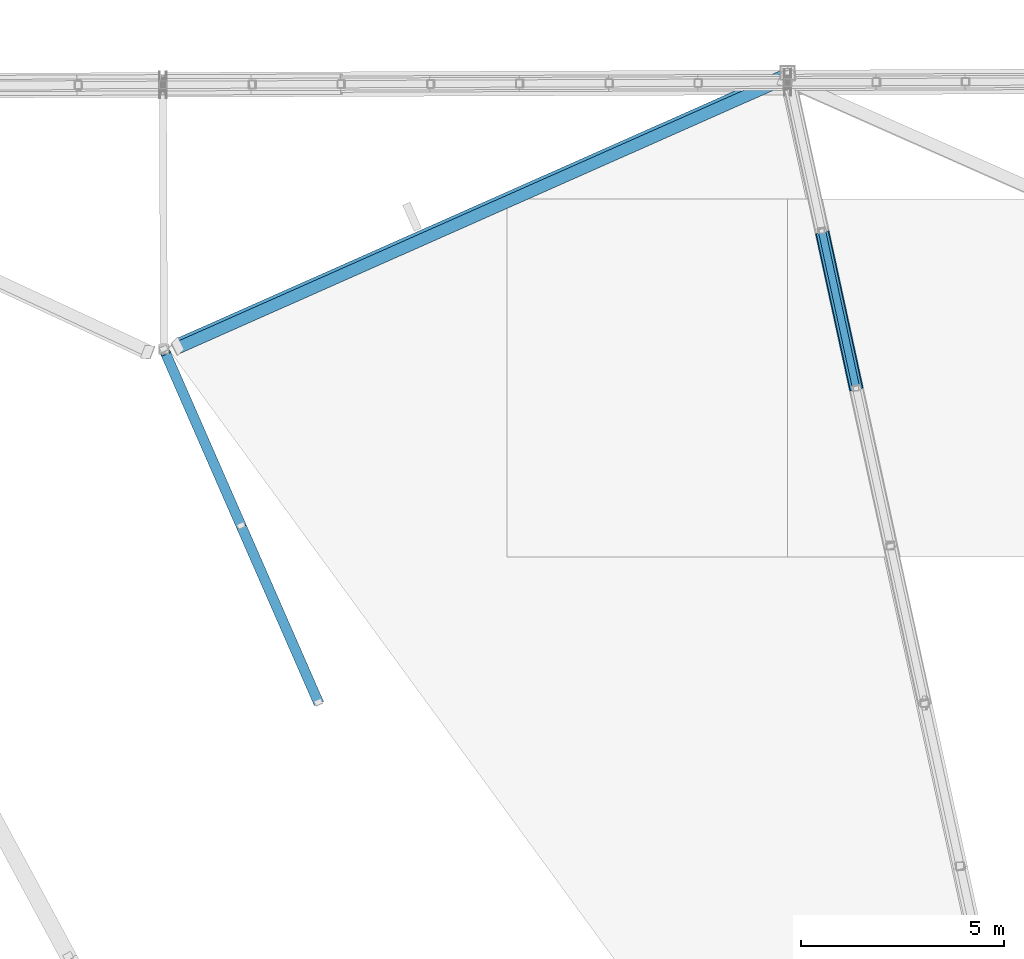
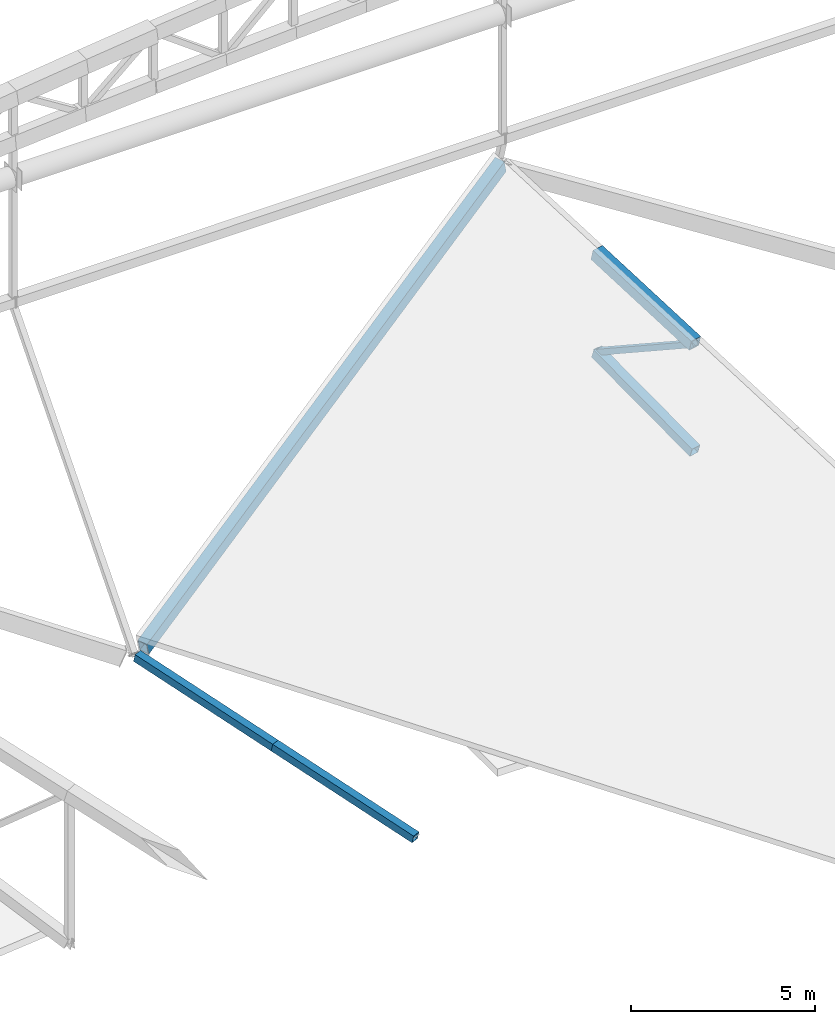
# One storey, part 79 of 188: 5 members, 1 beam.
"""IFC4 building model written with IfcOpenShell, lengths in metres."""

from ifc_helpers import new_model, si_unit, direction, frame, origin, origin_2d, place, context, subcontext, project, spatial, hollow_rectangle, extrude, material, material_profile, profile_set, type_object, element, save


model = new_model("IFC4")

# Units and contexts
model_context = context("Model", 3, precision=1e-05, world=origin(), true_north=direction((0.0, 1.0)))
body_context = subcontext(model_context, "Body", "Model", "MODEL_VIEW")
ifc_project = project(units=[si_unit("LENGTHUNIT", "METRE"), si_unit("AREAUNIT", "SQUARE_METRE"), si_unit("VOLUMEUNIT", "CUBIC_METRE"), si_unit("PLANEANGLEUNIT", "RADIAN"), si_unit("MASSUNIT", "GRAM", prefix="KILO")], contexts=[model_context])

# Site, building, storey
site_placement = place(None, origin())
site = spatial("IfcSite", under=ifc_project, at=site_placement, CompositionType="ELEMENT")
building_placement = place(site_placement, origin())
building = spatial("IfcBuilding", under=site, at=building_placement, Name="Meseta Stadium", CompositionType="ELEMENT")
storey_placement = place(building_placement, frame((0.0, 0.0, 30.0)))
storey = spatial("IfcBuildingStorey", under=building, at=storey_placement, Name="ROOF", CompositionType="ELEMENT", Elevation=30.0)

# Beam
ifc_material_1 = material(Name="Steel S355", Category="steel")
ifc_material_profile_1 = material_profile(ifc_material_1, hollow_rectangle(XDim=0.300048828125, YDim=0.5, WallThickness=0.01611328125, at=origin_2d()), Name="RHS 500x300x16")
ifc_profile_set_1 = profile_set([ifc_material_profile_1], Name="Steel S355")
beam_type = type_object("IfcBeamType", Name="RHS 500x300x16 rim ring beam", PredefinedType="BEAM", material=ifc_profile_set_1)
beam_placement = place(storey_placement, frame((-22.952392578125, 105.348876953125, 10.398193359375), z_axis=(-0.847168236299, -0.375703326713, -0.375703326713), x_axis=(0.452238067139, -0.881046783251, -0.138698580934)))
element("IfcBeam", 1, at=beam_placement, inside=storey, type_object=beam_type, Name="RIM RING BEAM 21", PredefinedType="BEAM", context=body_context, shape_type="SweptSolid", body=[
    extrude(hollow_rectangle(XDim=0.300048828125, YDim=0.5, WallThickness=0.01611328125, at=origin_2d()), origin(), (0.0, 0.0, 1.0), 17.75439453125),
])

# Members
ifc_material_2 = material(Name="Steel S355", Category="steel")
ifc_material_profile_2 = material_profile(ifc_material_2, hollow_rectangle(XDim=0.179931640625, YDim=0.179931640625, WallThickness=0.00634765625, at=origin_2d()), Name="SHS 180x180x6.3")
ifc_profile_set_2 = profile_set([ifc_material_profile_2], Name="Steel S355")
member_type_1 = type_object("IfcMemberType", Name="SHS 180x180x6.3 diagonal", PredefinedType="BRACE", material=ifc_profile_set_2)
member_1_placement = place(storey_placement, frame((-21.313720703125, 97.65185546875, 8.564697265625), z_axis=(-0.183614450308, 0.843542008538, -0.504700518595), x_axis=(-0.977119641805, -0.212690398462, 0.0)))
element("IfcMember", 2, at=member_1_placement, inside=storey, type_object=member_type_1, Name="ROOF TRUSS RT-20 diagonal", PredefinedType="BRACE", context=body_context, shape_type="SweptSolid", body=[
    extrude(hollow_rectangle(XDim=0.179931640625, YDim=0.179931640625, WallThickness=0.00634765625, at=origin_2d()), origin(), (0.0, 0.0, 1.0), 4.592529296875),
])
ifc_material_3 = material(Name="Steel S355", Category="steel")
ifc_material_profile_3 = material_profile(ifc_material_3, hollow_rectangle(XDim=0.25, YDim=0.25, WallThickness=0.010009765625, at=origin_2d()), Name="SHS 250x250x10")
ifc_profile_set_3 = profile_set([ifc_material_profile_3], Name="Steel S355")
member_type_2 = type_object("IfcMemberType", Name="SHS 250x250x10 top chord", PredefinedType="CHORD", material=ifc_profile_set_3)
member_2_placement = place(storey_placement, frame((-34.53076171875, 89.911865234375, 1.538330078125), z_axis=(-0.391141662813, 0.893629122552, 0.220079964875), x_axis=(-0.916089968182, -0.400972779869, 0.0)))
element("IfcMember", 3, at=member_2_placement, inside=storey, type_object=member_type_2, Name="ROOF TRUSS RT-21 top chord", PredefinedType="CHORD", context=body_context, shape_type="SweptSolid", body=[
    extrude(hollow_rectangle(XDim=0.25, YDim=0.25, WallThickness=0.010009765625, at=origin_2d()), origin(), (0.0, 0.0, 1.0), 4.861083984375),
])
member_3_placement = place(storey_placement, frame((-36.43212890625, 94.255859375, 2.608154296875), z_axis=(-0.391096186759, 0.893647849682, 0.220084741544), x_axis=(-0.9161101781, -0.400926603733, 0.0)))
element("IfcMember", 4, at=member_3_placement, inside=storey, type_object=member_type_2, Name="ROOF TRUSS RT-21 top chord", PredefinedType="CHORD", context=body_context, shape_type="SweptSolid", body=[
    extrude(hollow_rectangle(XDim=0.25, YDim=0.25, WallThickness=0.010009765625, at=origin_2d()), origin(), (0.0, 0.0, 1.0), 4.751220703125),
])
ifc_material_4 = material(Name="Steel S355", Category="steel")
ifc_material_profile_4 = material_profile(ifc_material_4, hollow_rectangle(XDim=0.300048828125, YDim=0.300048828125, WallThickness=0.010009765625, at=origin_2d()), Name="SHS 300x300x10")
ifc_profile_set_4 = profile_set([ifc_material_profile_4], Name="Steel S355")
member_type_3 = type_object("IfcMemberType", Name="SHS 300x300x10 bottom chord", PredefinedType="CHORD", material=ifc_profile_set_4)
member_4_placement = place(storey_placement, frame((-21.313720703125, 97.65185546875, 5.011962890625), z_axis=(-0.203068674652, 0.932916540061, 0.297371556568), x_axis=(-0.977119641805, -0.212690398462, 0.0)))
element("IfcMember", 5, at=member_4_placement, inside=storey, type_object=member_type_3, Name="ROOF TRUSS RT-20 bottom chord", PredefinedType="CHORD", context=body_context, shape_type="SweptSolid", body=[
    extrude(hollow_rectangle(XDim=0.300048828125, YDim=0.300048828125, WallThickness=0.010009765625, at=origin_2d()), origin(), (0.0, 0.0, 1.0), 4.152587890625),
])
ifc_material_5 = material(Name="Steel S355", Category="steel")
ifc_material_profile_5 = material_profile(ifc_material_5, hollow_rectangle(XDim=0.35009765625, YDim=0.35009765625, WallThickness=0.010009765625, at=origin_2d()), Name="SHS 350x350x10")
ifc_profile_set_5 = profile_set([ifc_material_profile_5], Name="Steel S355")
member_type_4 = type_object("IfcMemberType", Name="SHS 350x350x10 top chord", PredefinedType="CHORD", material=ifc_profile_set_5)
member_5_placement = place(storey_placement, frame((-21.313720703125, 97.65185546875, 8.564697265625), z_axis=(-0.206734813898, 0.949759127657, 0.234985778622), x_axis=(-0.977119641805, -0.212690398462, 0.0)))
element("IfcMember", 6, at=member_5_placement, inside=storey, type_object=member_type_4, Name="ROOF TRUSS RT-20 top chord", PredefinedType="CHORD", context=body_context, shape_type="SweptSolid", body=[
    extrude(hollow_rectangle(XDim=0.35009765625, YDim=0.35009765625, WallThickness=0.010009765625, at=origin_2d()), origin(), (0.0, 0.0, 1.0), 4.078857421875),
])

save(model, "model.ifc")
